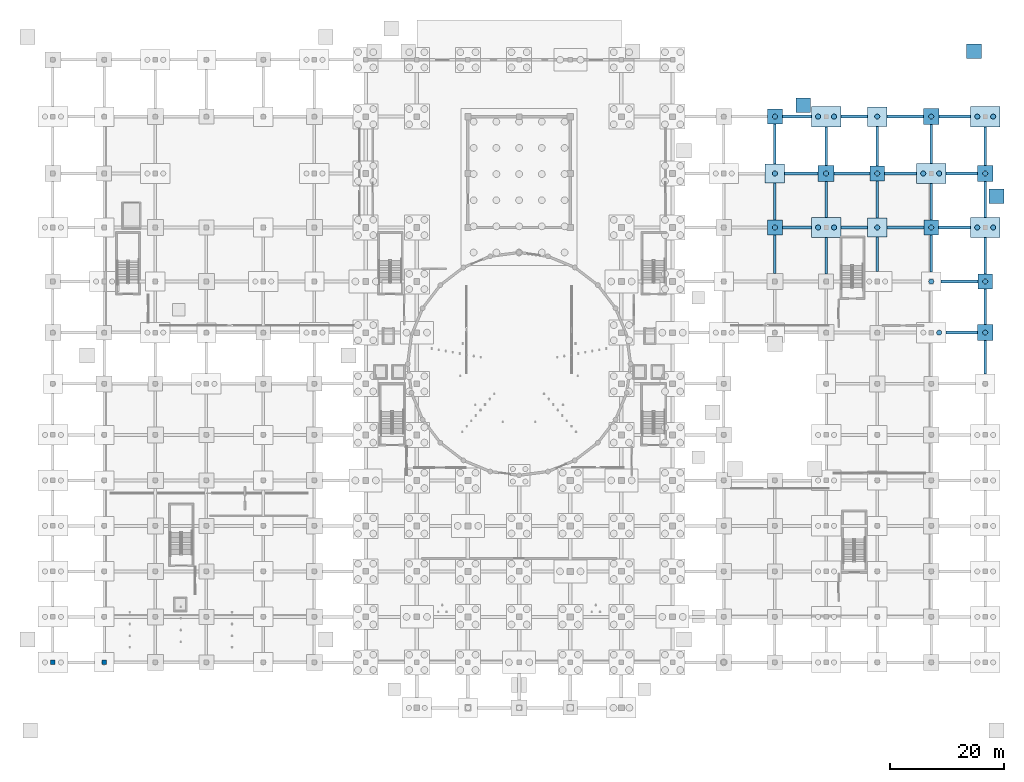
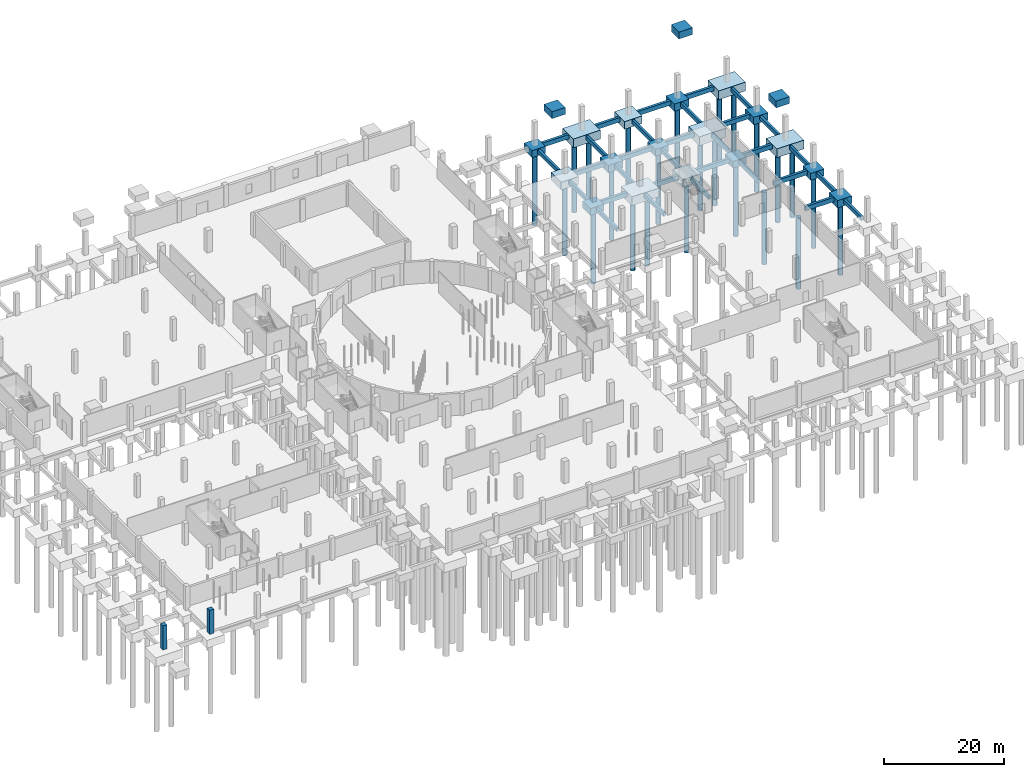
# One storey, part 10 of 40: 51 footings, 24 piles, 2 columns.
"""IFC4 building model written with IfcOpenShell, lengths in metres."""

from ifc_helpers import new_model, si_unit, direction, frame, origin, origin_2d, place, context, subcontext, project, spatial, rectangle, circle, extrude, material, layer, layer_set, material_profile, profile_set, type_object, element, save


model = new_model("IFC4")

# Units and contexts
model_context = context("Model", 3, precision=1e-05, world=origin(), true_north=direction((0.0, 1.0)))
body_context = subcontext(model_context, "Body", "Model", "MODEL_VIEW")
ifc_project = project(units=[si_unit("LENGTHUNIT", "METRE"), si_unit("AREAUNIT", "SQUARE_METRE"), si_unit("VOLUMEUNIT", "CUBIC_METRE"), si_unit("PLANEANGLEUNIT", "RADIAN"), si_unit("MASSUNIT", "GRAM", prefix="KILO")], contexts=[model_context])

# Site, building, storey
site_placement = place(None, origin())
site = spatial("IfcSite", under=ifc_project, at=site_placement, CompositionType="ELEMENT")
building_placement = place(site_placement, origin())
building = spatial("IfcBuilding", under=site, at=building_placement, Name="Marnock Terrace Opera House", CompositionType="ELEMENT")
storey_placement = place(building_placement, frame((0.0, 0.0, -4.800048828125)))
storey = spatial("IfcBuildingStorey", under=building, at=storey_placement, Name="B1", CompositionType="ELEMENT", Elevation=-4.800048828125)

# Footings
ifc_material_1 = material(Name="Concrete N40 (f'c = 40 MPa)", Category="concrete")
ifc_layer_1 = layer(ifc_material_1, 1.39990234375)
ifc_layer_set_1 = layer_set([ifc_layer_1], Name="Concrete N40 (f'c = 40 MPa)")
footing_type_1 = type_object("IfcFootingType", Name="FT-CAP-2600", PredefinedType="PILE_CAP", material=ifc_layer_set_1)
for number, where, z_axis, x_axis, name in (
    (1, (127.0, 84.5, -1.7998046875), (0.0, 0.0, 1.0), (1.0, 0.0, 0.0), "Pile cap FT-CAP-168"),
    (2, (127.0, 104.0, -1.7998046875), (0.0, 0.0, 1.0), (1.0, 0.0, 0.0), "Pile cap FT-CAP-170"),
    (3, (145.0, 94.0, -1.7998046875), (0.0, 0.0, 1.0), (1.0, 0.0, 0.0), "Pile cap FT-CAP-193"),
    (4, (154.5, 84.5, -1.7998046875), (0.0, 0.0, 1.0), (1.0, 0.0, 0.0), "Pile cap FT-CAP-204"),
    (5, (164.0, 75.0, -1.7998046875), (0.0, 0.0, 1.0), (1.0, 0.0, 0.0), "Pile cap FT-CAP-215"),
):
    element("IfcFooting", number, at=place(storey_placement, frame(where, z_axis=z_axis, x_axis=x_axis)), inside=storey, type_object=footing_type_1, Name=name, PredefinedType="PILE_CAP", context=body_context, shape_type="SweptSolid", body=[
        extrude(rectangle(XDim=2.60009765625, YDim=2.60009765625, at=origin_2d()), origin(), (0.0, 0.0, 1.0), 1.39990234375),
    ])
ifc_layer_2 = layer(ifc_material_1, 1.5)
ifc_layer_set_2 = layer_set([ifc_layer_2], Name="Concrete N40 (f'c = 40 MPa)")
footing_type_2 = type_object("IfcFootingType", Name="FT-CAP-2800", PredefinedType="PILE_CAP", material=ifc_layer_set_2)
for number, where, z_axis, x_axis, name in (
    (6, (136.0, 94.0, -1.89990234375), (0.0, 0.0, 1.0), (1.0, 0.0, 0.0), "Pile cap FT-CAP-181"),
    (7, (154.5, 104.0, -1.89990234375), (0.0, 0.0, 1.0), (1.0, 0.0, 0.0), "Pile cap FT-CAP-206"),
    (8, (164.0, 66.0, -1.89990234375), (0.0, 0.0, 1.0), (1.0, 0.0, 0.0), "Pile cap FT-CAP-214"),
    (9, (164.0, 94.0, -1.89990234375), (0.0, 0.0, 1.0), (1.0, 0.0, 0.0), "Pile cap FT-CAP-217"),
):
    element("IfcFooting", number, at=place(storey_placement, frame(where, z_axis=z_axis, x_axis=x_axis)), inside=storey, type_object=footing_type_2, Name=name, PredefinedType="PILE_CAP", context=body_context, shape_type="SweptSolid", body=[
        extrude(rectangle(XDim=2.800048828125, YDim=2.800048828125, at=origin_2d()), origin(), (0.0, 0.0, 1.0), 1.5),
    ])
ifc_layer_3 = layer(ifc_material_1, 1.550048828125)
ifc_layer_set_3 = layer_set([ifc_layer_3], Name="Concrete N40 (f'c = 40 MPa)")
footing_type_3 = type_object("IfcFootingType", Name="FT-CAP-3400", PredefinedType="PILE_CAP", material=ifc_layer_set_3)
for number, where, z_axis, x_axis, name in (
    (10, (127.0, 94.0, -1.9501953125), (0.0, 0.0, 1.0), (1.0, 0.0, 0.0), "Pile cap FT-CAP-169"),
    (11, (145.0, 84.5, -1.9501953125), (0.0, 0.0, 1.0), (1.0, 0.0, 0.0), "Pile cap FT-CAP-192"),
    (12, (145.0, 104.0, -1.9501953125), (0.0, 0.0, 1.0), (1.0, 0.0, 0.0), "Pile cap FT-CAP-194"),
):
    element("IfcFooting", number, at=place(storey_placement, frame(where, z_axis=z_axis, x_axis=x_axis)), inside=storey, type_object=footing_type_3, Name=name, PredefinedType="PILE_CAP", context=body_context, shape_type="SweptSolid", body=[
        extrude(rectangle(XDim=3.39990234375, YDim=3.39990234375, at=origin_2d()), origin(), (0.0, 0.0, 1.0), 1.550048828125),
    ])
ifc_layer_4 = layer(ifc_material_1, 1.800048828125)
ifc_layer_set_4 = layer_set([ifc_layer_4], Name="Concrete N40 (f'c = 40 MPa)")
footing_type_4 = type_object("IfcFootingType", Name="FT-CAP-5200", PredefinedType="PILE_CAP", material=ifc_layer_set_4)
for number, where, z_axis, x_axis, name in (
    (13, (136.0, 84.5, -2.2001953125), (0.0, 0.0, 1.0), (1.0, 0.0, 0.0), "Pile cap FT-CAP-180"),
    (14, (136.0, 104.0, -2.2001953125), (0.0, 0.0, 1.0), (1.0, 0.0, 0.0), "Pile cap FT-CAP-182"),
    (15, (154.5, 94.0, -2.2001953125), (0.0, 0.0, 1.0), (1.0, 0.0, 0.0), "Pile cap FT-CAP-205"),
    (16, (164.0, 84.5, -2.2001953125), (0.0, 0.0, 1.0), (1.0, 0.0, 0.0), "Pile cap FT-CAP-216"),
    (17, (164.0, 104.0, -2.2001953125), (0.0, 0.0, 1.0), (1.0, 0.0, 0.0), "Pile cap FT-CAP-218"),
):
    element("IfcFooting", number, at=place(storey_placement, frame(where, z_axis=z_axis, x_axis=x_axis)), inside=storey, type_object=footing_type_4, Name=name, PredefinedType="PILE_CAP", context=body_context, shape_type="SweptSolid", body=[
        extrude(rectangle(XDim=5.199951171875, YDim=3.60009765625, at=origin_2d()), origin(), (0.0, 0.0, 1.0), 1.800048828125),
    ])
ifc_material_profile_1 = material_profile(ifc_material_1, rectangle(XDim=0.449951171875, YDim=0.800048828125, at=origin_2d()))
ifc_profile_set_1 = profile_set([ifc_material_profile_1], Name="Concrete N40 (f'c = 40 MPa)")
footing_type_5 = type_object("IfcFootingType", Name="FT-GB-450", PredefinedType="FOOTING_BEAM", material=ifc_profile_set_1)
footing_1_placement = place(storey_placement, frame((127.0, 76.39990234375, -0.949951171875), z_axis=(0.0, 1.0, 0.0), x_axis=(-1.0, 0.0, 0.0)))
element("IfcFooting", 18, at=footing_1_placement, inside=storey, type_object=footing_type_5, Name="Ground tie beam Y-146", PredefinedType="FOOTING_BEAM", context=body_context, shape_type="SweptSolid", body=[
    extrude(rectangle(XDim=0.449951171875, YDim=0.800048828125, at=origin_2d()), origin(), (0.0, 0.0, 1.0), 6.800048828125),
])
footing_2_placement = place(storey_placement, frame((127.0, 85.800048828125, -0.949951171875), z_axis=(0.0, 1.0, 0.0), x_axis=(-1.0, 0.0, 0.0)))
element("IfcFooting", 19, at=footing_2_placement, inside=storey, type_object=footing_type_5, Name="Ground tie beam Y-147", PredefinedType="FOOTING_BEAM", context=body_context, shape_type="SweptSolid", body=[
    extrude(rectangle(XDim=0.449951171875, YDim=0.800048828125, at=origin_2d()), origin(), (0.0, 0.0, 1.0), 6.5),
])
footing_3_placement = place(storey_placement, frame((127.0, 95.699951171875, -0.949951171875), z_axis=(0.0, 1.0, 0.0), x_axis=(-1.0, 0.0, 0.0)))
element("IfcFooting", 20, at=footing_3_placement, inside=storey, type_object=footing_type_5, Name="Ground tie beam Y-148", PredefinedType="FOOTING_BEAM", context=body_context, shape_type="SweptSolid", body=[
    extrude(rectangle(XDim=0.449951171875, YDim=0.800048828125, at=origin_2d()), origin(), (0.0, 0.0, 1.0), 7.0),
])
footing_4_placement = place(storey_placement, frame((136.0, 76.300048828125, -0.949951171875), z_axis=(0.0, 1.0, 0.0), x_axis=(-1.0, 0.0, 0.0)))
element("IfcFooting", 21, at=footing_4_placement, inside=storey, type_object=footing_type_5, Name="Ground tie beam Y-157", PredefinedType="FOOTING_BEAM", context=body_context, shape_type="SweptSolid", body=[
    extrude(rectangle(XDim=0.449951171875, YDim=0.800048828125, at=origin_2d()), origin(), (0.0, 0.0, 1.0), 6.39990234375),
])
footing_5_placement = place(storey_placement, frame((136.0, 86.300048828125, -0.949951171875), z_axis=(0.0, 1.0, 0.0), x_axis=(-1.0, 0.0, 0.0)))
element("IfcFooting", 22, at=footing_5_placement, inside=storey, type_object=footing_type_5, Name="Ground tie beam Y-158", PredefinedType="FOOTING_BEAM", context=body_context, shape_type="SweptSolid", body=[
    extrude(rectangle(XDim=0.449951171875, YDim=0.800048828125, at=origin_2d()), origin(), (0.0, 0.0, 1.0), 6.300048828125),
])
footing_6_placement = place(storey_placement, frame((136.0, 95.39990234375, -0.949951171875), z_axis=(0.0, 1.0, 0.0), x_axis=(-1.0, 0.0, 0.0)))
element("IfcFooting", 23, at=footing_6_placement, inside=storey, type_object=footing_type_5, Name="Ground tie beam Y-159", PredefinedType="FOOTING_BEAM", context=body_context, shape_type="SweptSolid", body=[
    extrude(rectangle(XDim=0.449951171875, YDim=0.800048828125, at=origin_2d()), origin(), (0.0, 0.0, 1.0), 6.800048828125),
])
footing_7_placement = place(storey_placement, frame((145.0, 76.800048828125, -0.949951171875), z_axis=(0.0, 1.0, 0.0), x_axis=(-1.0, 0.0, 0.0)))
element("IfcFooting", 24, at=footing_7_placement, inside=storey, type_object=footing_type_5, Name="Ground tie beam Y-168", PredefinedType="FOOTING_BEAM", context=body_context, shape_type="SweptSolid", body=[
    extrude(rectangle(XDim=0.449951171875, YDim=0.800048828125, at=origin_2d()), origin(), (0.0, 0.0, 1.0), 6.0),
])
footing_8_placement = place(storey_placement, frame((145.0, 86.199951171875, -0.949951171875), z_axis=(0.0, 1.0, 0.0), x_axis=(-1.0, 0.0, 0.0)))
element("IfcFooting", 25, at=footing_8_placement, inside=storey, type_object=footing_type_5, Name="Ground tie beam Y-169", PredefinedType="FOOTING_BEAM", context=body_context, shape_type="SweptSolid", body=[
    extrude(rectangle(XDim=0.449951171875, YDim=0.800048828125, at=origin_2d()), origin(), (0.0, 0.0, 1.0), 6.5),
])
footing_9_placement = place(storey_placement, frame((145.0, 95.300048828125, -0.949951171875), z_axis=(0.0, 1.0, 0.0), x_axis=(-1.0, 0.0, 0.0)))
element("IfcFooting", 26, at=footing_9_placement, inside=storey, type_object=footing_type_5, Name="Ground tie beam Y-170", PredefinedType="FOOTING_BEAM", context=body_context, shape_type="SweptSolid", body=[
    extrude(rectangle(XDim=0.449951171875, YDim=0.800048828125, at=origin_2d()), origin(), (0.0, 0.0, 1.0), 7.0),
])
footing_10_placement = place(storey_placement, frame((154.5, 76.699951171875, -0.949951171875), z_axis=(0.0, 1.0, 0.0), x_axis=(-1.0, 0.0, 0.0)))
element("IfcFooting", 27, at=footing_10_placement, inside=storey, type_object=footing_type_5, Name="Ground tie beam Y-179", PredefinedType="FOOTING_BEAM", context=body_context, shape_type="SweptSolid", body=[
    extrude(rectangle(XDim=0.449951171875, YDim=0.800048828125, at=origin_2d()), origin(), (0.0, 0.0, 1.0), 6.5),
])
footing_11_placement = place(storey_placement, frame((154.5, 85.800048828125, -0.949951171875), z_axis=(0.0, 1.0, 0.0), x_axis=(-1.0, 0.0, 0.0)))
element("IfcFooting", 28, at=footing_11_placement, inside=storey, type_object=footing_type_5, Name="Ground tie beam Y-180", PredefinedType="FOOTING_BEAM", context=body_context, shape_type="SweptSolid", body=[
    extrude(rectangle(XDim=0.449951171875, YDim=0.800048828125, at=origin_2d()), origin(), (0.0, 0.0, 1.0), 6.39990234375),
])
footing_12_placement = place(storey_placement, frame((154.5, 95.800048828125, -0.949951171875), z_axis=(0.0, 1.0, 0.0), x_axis=(-1.0, 0.0, 0.0)))
element("IfcFooting", 29, at=footing_12_placement, inside=storey, type_object=footing_type_5, Name="Ground tie beam Y-181", PredefinedType="FOOTING_BEAM", context=body_context, shape_type="SweptSolid", body=[
    extrude(rectangle(XDim=0.449951171875, YDim=0.800048828125, at=origin_2d()), origin(), (0.0, 0.0, 1.0), 6.800048828125),
])
footing_13_placement = place(storey_placement, frame((164.0, 58.699951171875, -0.949951171875), z_axis=(0.0, 1.0, 0.0), x_axis=(-1.0, 0.0, 0.0)))
element("IfcFooting", 30, at=footing_13_placement, inside=storey, type_object=footing_type_5, Name="Ground tie beam Y-188", PredefinedType="FOOTING_BEAM", context=body_context, shape_type="SweptSolid", body=[
    extrude(rectangle(XDim=0.449951171875, YDim=0.800048828125, at=origin_2d()), origin(), (0.0, 0.0, 1.0), 5.900146484375),
])
footing_14_placement = place(storey_placement, frame((164.0, 67.39990234375, -0.949951171875), z_axis=(0.0, 1.0, 0.0), x_axis=(-1.0, 0.0, 0.0)))
element("IfcFooting", 31, at=footing_14_placement, inside=storey, type_object=footing_type_5, Name="Ground tie beam Y-189", PredefinedType="FOOTING_BEAM", context=body_context, shape_type="SweptSolid", body=[
    extrude(rectangle(XDim=0.449951171875, YDim=0.800048828125, at=origin_2d()), origin(), (0.0, 0.0, 1.0), 6.300048828125),
])
footing_15_placement = place(storey_placement, frame((164.0, 76.300048828125, -0.949951171875), z_axis=(0.0, 1.0, 0.0), x_axis=(-1.0, 0.0, 0.0)))
element("IfcFooting", 32, at=footing_15_placement, inside=storey, type_object=footing_type_5, Name="Ground tie beam Y-190", PredefinedType="FOOTING_BEAM", context=body_context, shape_type="SweptSolid", body=[
    extrude(rectangle(XDim=0.449951171875, YDim=0.800048828125, at=origin_2d()), origin(), (0.0, 0.0, 1.0), 6.39990234375),
])
footing_16_placement = place(storey_placement, frame((164.0, 86.300048828125, -0.949951171875), z_axis=(0.0, 1.0, 0.0), x_axis=(-1.0, 0.0, 0.0)))
element("IfcFooting", 33, at=footing_16_placement, inside=storey, type_object=footing_type_5, Name="Ground tie beam Y-191", PredefinedType="FOOTING_BEAM", context=body_context, shape_type="SweptSolid", body=[
    extrude(rectangle(XDim=0.449951171875, YDim=0.800048828125, at=origin_2d()), origin(), (0.0, 0.0, 1.0), 6.300048828125),
])
footing_17_placement = place(storey_placement, frame((164.0, 95.39990234375, -0.949951171875), z_axis=(0.0, 1.0, 0.0), x_axis=(-1.0, 0.0, 0.0)))
element("IfcFooting", 34, at=footing_17_placement, inside=storey, type_object=footing_type_5, Name="Ground tie beam Y-192", PredefinedType="FOOTING_BEAM", context=body_context, shape_type="SweptSolid", body=[
    extrude(rectangle(XDim=0.449951171875, YDim=0.800048828125, at=origin_2d()), origin(), (0.0, 0.0, 1.0), 6.800048828125),
])
ifc_material_profile_2 = material_profile(ifc_material_1, rectangle(XDim=0.5, YDim=0.89990234375, at=origin_2d()))
ifc_profile_set_2 = profile_set([ifc_material_profile_2], Name="Concrete N40 (f'c = 40 MPa)")
footing_type_6 = type_object("IfcFootingType", Name="FT-GB-500", PredefinedType="FOOTING_BEAM", material=ifc_profile_set_2)
footing_18_placement = place(storey_placement, frame((157.10009765625, 66.0, -0.849853515625), z_axis=(1.0, 0.0, 0.0), x_axis=(0.0, 1.0, 0.0)))
element("IfcFooting", 35, at=footing_18_placement, inside=storey, type_object=footing_type_6, Name="Ground tie beam X-322", PredefinedType="FOOTING_BEAM", context=body_context, shape_type="SweptSolid", body=[
    extrude(rectangle(XDim=0.5, YDim=0.89990234375, at=origin_2d()), origin(), (0.0, 0.0, 1.0), 5.5),
])
footing_19_placement = place(storey_placement, frame((156.199951171875, 75.0, -0.849853515625), z_axis=(1.0, 0.0, 0.0), x_axis=(0.0, 1.0, 0.0)))
element("IfcFooting", 36, at=footing_19_placement, inside=storey, type_object=footing_type_6, Name="Ground tie beam X-336", PredefinedType="FOOTING_BEAM", context=body_context, shape_type="SweptSolid", body=[
    extrude(rectangle(XDim=0.5, YDim=0.89990234375, at=origin_2d()), origin(), (0.0, 0.0, 1.0), 6.5),
])
footing_20_placement = place(storey_placement, frame((128.300048828125, 84.5, -0.849853515625), z_axis=(1.0, 0.0, 0.0), x_axis=(0.0, 1.0, 0.0)))
element("IfcFooting", 37, at=footing_20_placement, inside=storey, type_object=footing_type_6, Name="Ground tie beam X-347", PredefinedType="FOOTING_BEAM", context=body_context, shape_type="SweptSolid", body=[
    extrude(rectangle(XDim=0.5, YDim=0.89990234375, at=origin_2d()), origin(), (0.0, 0.0, 1.0), 5.099853515625),
])
footing_21_placement = place(storey_placement, frame((138.60009765625, 84.5, -0.849853515625), z_axis=(1.0, 0.0, 0.0), x_axis=(0.0, 1.0, 0.0)))
element("IfcFooting", 38, at=footing_21_placement, inside=storey, type_object=footing_type_6, Name="Ground tie beam X-348", PredefinedType="FOOTING_BEAM", context=body_context, shape_type="SweptSolid", body=[
    extrude(rectangle(XDim=0.5, YDim=0.89990234375, at=origin_2d()), origin(), (0.0, 0.0, 1.0), 4.699951171875),
])
footing_22_placement = place(storey_placement, frame((146.699951171875, 84.5, -0.849853515625), z_axis=(1.0, 0.0, 0.0), x_axis=(0.0, 1.0, 0.0)))
element("IfcFooting", 39, at=footing_22_placement, inside=storey, type_object=footing_type_6, Name="Ground tie beam X-349", PredefinedType="FOOTING_BEAM", context=body_context, shape_type="SweptSolid", body=[
    extrude(rectangle(XDim=0.5, YDim=0.89990234375, at=origin_2d()), origin(), (0.0, 0.0, 1.0), 6.5),
])
footing_23_placement = place(storey_placement, frame((155.800048828125, 84.5, -0.849853515625), z_axis=(1.0, 0.0, 0.0), x_axis=(0.0, 1.0, 0.0)))
element("IfcFooting", 40, at=footing_23_placement, inside=storey, type_object=footing_type_6, Name="Ground tie beam X-350", PredefinedType="FOOTING_BEAM", context=body_context, shape_type="SweptSolid", body=[
    extrude(rectangle(XDim=0.5, YDim=0.89990234375, at=origin_2d()), origin(), (0.0, 0.0, 1.0), 5.599853515625),
])
footing_24_placement = place(storey_placement, frame((128.699951171875, 94.0, -0.849853515625), z_axis=(1.0, 0.0, 0.0), x_axis=(0.0, 1.0, 0.0)))
element("IfcFooting", 41, at=footing_24_placement, inside=storey, type_object=footing_type_6, Name="Ground tie beam X-356", PredefinedType="FOOTING_BEAM", context=body_context, shape_type="SweptSolid", body=[
    extrude(rectangle(XDim=0.5, YDim=0.89990234375, at=origin_2d()), origin(), (0.0, 0.0, 1.0), 5.900146484375),
])
footing_25_placement = place(storey_placement, frame((137.39990234375, 94.0, -0.849853515625), z_axis=(1.0, 0.0, 0.0), x_axis=(0.0, 1.0, 0.0)))
element("IfcFooting", 42, at=footing_25_placement, inside=storey, type_object=footing_type_6, Name="Ground tie beam X-357", PredefinedType="FOOTING_BEAM", context=body_context, shape_type="SweptSolid", body=[
    extrude(rectangle(XDim=0.5, YDim=0.89990234375, at=origin_2d()), origin(), (0.0, 0.0, 1.0), 6.300048828125),
])
footing_26_placement = place(storey_placement, frame((146.300048828125, 94.0, -0.849853515625), z_axis=(1.0, 0.0, 0.0), x_axis=(0.0, 1.0, 0.0)))
element("IfcFooting", 43, at=footing_26_placement, inside=storey, type_object=footing_type_6, Name="Ground tie beam X-358", PredefinedType="FOOTING_BEAM", context=body_context, shape_type="SweptSolid", body=[
    extrude(rectangle(XDim=0.5, YDim=0.89990234375, at=origin_2d()), origin(), (0.0, 0.0, 1.0), 5.599853515625),
])
footing_27_placement = place(storey_placement, frame((157.10009765625, 94.0, -0.849853515625), z_axis=(1.0, 0.0, 0.0), x_axis=(0.0, 1.0, 0.0)))
element("IfcFooting", 44, at=footing_27_placement, inside=storey, type_object=footing_type_6, Name="Ground tie beam X-359", PredefinedType="FOOTING_BEAM", context=body_context, shape_type="SweptSolid", body=[
    extrude(rectangle(XDim=0.5, YDim=0.89990234375, at=origin_2d()), origin(), (0.0, 0.0, 1.0), 5.5),
])
footing_28_placement = place(storey_placement, frame((128.300048828125, 104.0, -0.849853515625), z_axis=(1.0, 0.0, 0.0), x_axis=(0.0, 1.0, 0.0)))
element("IfcFooting", 45, at=footing_28_placement, inside=storey, type_object=footing_type_6, Name="Ground tie beam X-370", PredefinedType="FOOTING_BEAM", context=body_context, shape_type="SweptSolid", body=[
    extrude(rectangle(XDim=0.5, YDim=0.89990234375, at=origin_2d()), origin(), (0.0, 0.0, 1.0), 5.099853515625),
])
footing_29_placement = place(storey_placement, frame((138.60009765625, 104.0, -0.849853515625), z_axis=(1.0, 0.0, 0.0), x_axis=(0.0, 1.0, 0.0)))
element("IfcFooting", 46, at=footing_29_placement, inside=storey, type_object=footing_type_6, Name="Ground tie beam X-371", PredefinedType="FOOTING_BEAM", context=body_context, shape_type="SweptSolid", body=[
    extrude(rectangle(XDim=0.5, YDim=0.89990234375, at=origin_2d()), origin(), (0.0, 0.0, 1.0), 4.699951171875),
])
footing_30_placement = place(storey_placement, frame((146.699951171875, 104.0, -0.849853515625), z_axis=(1.0, 0.0, 0.0), x_axis=(0.0, 1.0, 0.0)))
element("IfcFooting", 47, at=footing_30_placement, inside=storey, type_object=footing_type_6, Name="Ground tie beam X-372", PredefinedType="FOOTING_BEAM", context=body_context, shape_type="SweptSolid", body=[
    extrude(rectangle(XDim=0.5, YDim=0.89990234375, at=origin_2d()), origin(), (0.0, 0.0, 1.0), 6.400146484375),
])
footing_31_placement = place(storey_placement, frame((155.89990234375, 104.0, -0.849853515625), z_axis=(1.0, 0.0, 0.0), x_axis=(0.0, 1.0, 0.0)))
element("IfcFooting", 48, at=footing_31_placement, inside=storey, type_object=footing_type_6, Name="Ground tie beam X-373", PredefinedType="FOOTING_BEAM", context=body_context, shape_type="SweptSolid", body=[
    extrude(rectangle(XDim=0.5, YDim=0.89990234375, at=origin_2d()), origin(), (0.0, 0.0, 1.0), 5.5),
])
ifc_layer_5 = layer(ifc_material_1, 1.39990234375)
ifc_layer_set_5 = layer_set([ifc_layer_5], Name="Concrete N40 (f'c = 40 MPa)")
footing_type_7 = type_object("IfcFootingType", Name="FT-PAD-2600", PredefinedType="PAD_FOOTING", material=ifc_layer_set_5)
for number, where, z_axis, x_axis, name in (
    (49, (162.0, 115.5, 3.16015625), (0.0, 0.0, 1.0), (1.0, 0.0, 0.0), "Upper-terrace grade pad footing FT-APR-NE2"),
    (50, (132.0, 106.0, 3.16015625), (0.0, 0.0, 1.0), (1.0, 0.0, 0.0), "Upper-terrace grade pad footing FT-APR-NE3"),
    (51, (166.0, 90.0, 3.16015625), (0.0, 0.0, 1.0), (1.0, 0.0, 0.0), "Upper-terrace grade pad footing FT-APR-S4"),
):
    element("IfcFooting", number, at=place(storey_placement, frame(where, z_axis=z_axis, x_axis=x_axis)), inside=storey, type_object=footing_type_7, Name=name, PredefinedType="PAD_FOOTING", context=body_context, shape_type="SweptSolid", body=[
        extrude(rectangle(XDim=2.60009765625, YDim=2.60009765625, at=origin_2d()), origin(), (0.0, 0.0, 1.0), 1.39990234375),
    ])

# Piles
ifc_material_profile_3 = material_profile(ifc_material_1, circle(Radius=0.449951171875, at=origin_2d()))
ifc_profile_set_3 = profile_set([ifc_material_profile_3], Name="Concrete N40 (f'c = 40 MPa)")
pile_type = type_object("IfcPileType", Name="PILE-CFA-900", PredefinedType="BORED", material=ifc_profile_set_3)
pile_1_placement = place(storey_placement, frame((127.0, 84.5, -1.699951171875), z_axis=(0.0, 0.0, -1.0), x_axis=(1.0, 0.0, 0.0)))
element("IfcPile", 52, at=pile_1_placement, inside=storey, type_object=pile_type, Name="Bored CFA pile 168.1", PredefinedType="BORED", context=body_context, shape_type="SweptSolid", body=[
    extrude(circle(Radius=0.449951171875, at=origin_2d()), origin(), (0.0, 0.0, 1.0), 15.0),
])
pile_2_placement = place(storey_placement, frame((127.0, 94.0, -1.849853515625), z_axis=(0.0, 0.0, -1.0), x_axis=(1.0, 0.0, 0.0)))
element("IfcPile", 53, at=pile_2_placement, inside=storey, type_object=pile_type, Name="Bored CFA pile 169.1", PredefinedType="BORED", context=body_context, shape_type="SweptSolid", body=[
    extrude(circle(Radius=0.449951171875, at=origin_2d()), origin(), (0.0, 0.0, 1.0), 14.85009765625),
])
pile_3_placement = place(storey_placement, frame((127.0, 104.0, -1.699951171875), z_axis=(0.0, 0.0, -1.0), x_axis=(1.0, 0.0, 0.0)))
element("IfcPile", 54, at=pile_3_placement, inside=storey, type_object=pile_type, Name="Bored CFA pile 170.1", PredefinedType="BORED", context=body_context, shape_type="SweptSolid", body=[
    extrude(circle(Radius=0.449951171875, at=origin_2d()), origin(), (0.0, 0.0, 1.0), 15.0),
])
for number, where, z_axis, x_axis, name in (
    (55, (134.60009765625, 84.5, -2.099853515625), (0.0, 0.0, -1.0), (1.0, 0.0, 0.0), "Bored CFA pile 180.1"),
    (56, (137.39990234375, 84.5, -2.099853515625), (0.0, 0.0, -1.0), (1.0, 0.0, 0.0), "Bored CFA pile 180.2"),
):
    element("IfcPile", number, at=place(storey_placement, frame(where, z_axis=z_axis, x_axis=x_axis)), inside=storey, type_object=pile_type, Name=name, PredefinedType="BORED", context=body_context, shape_type="SweptSolid", body=[
        extrude(circle(Radius=0.449951171875, at=origin_2d()), origin(), (0.0, 0.0, 1.0), 14.60009765625),
    ])
pile_4_placement = place(storey_placement, frame((136.0, 94.0, -1.800048828125), z_axis=(0.0, 0.0, -1.0), x_axis=(1.0, 0.0, 0.0)))
element("IfcPile", 57, at=pile_4_placement, inside=storey, type_object=pile_type, Name="Bored CFA pile 181.1", PredefinedType="BORED", context=body_context, shape_type="SweptSolid", body=[
    extrude(circle(Radius=0.449951171875, at=origin_2d()), origin(), (0.0, 0.0, 1.0), 14.89990234375),
])
for number, where, z_axis, x_axis, name in (
    (58, (134.60009765625, 104.0, -2.099853515625), (0.0, 0.0, -1.0), (1.0, 0.0, 0.0), "Bored CFA pile 182.1"),
    (59, (137.39990234375, 104.0, -2.099853515625), (0.0, 0.0, -1.0), (1.0, 0.0, 0.0), "Bored CFA pile 182.2"),
):
    element("IfcPile", number, at=place(storey_placement, frame(where, z_axis=z_axis, x_axis=x_axis)), inside=storey, type_object=pile_type, Name=name, PredefinedType="BORED", context=body_context, shape_type="SweptSolid", body=[
        extrude(circle(Radius=0.449951171875, at=origin_2d()), origin(), (0.0, 0.0, 1.0), 14.60009765625),
    ])
pile_5_placement = place(storey_placement, frame((145.0, 84.5, -1.849853515625), z_axis=(0.0, 0.0, -1.0), x_axis=(1.0, 0.0, 0.0)))
element("IfcPile", 60, at=pile_5_placement, inside=storey, type_object=pile_type, Name="Bored CFA pile 192.1", PredefinedType="BORED", context=body_context, shape_type="SweptSolid", body=[
    extrude(circle(Radius=0.449951171875, at=origin_2d()), origin(), (0.0, 0.0, 1.0), 14.85009765625),
])
pile_6_placement = place(storey_placement, frame((145.0, 94.0, -1.699951171875), z_axis=(0.0, 0.0, -1.0), x_axis=(1.0, 0.0, 0.0)))
element("IfcPile", 61, at=pile_6_placement, inside=storey, type_object=pile_type, Name="Bored CFA pile 193.1", PredefinedType="BORED", context=body_context, shape_type="SweptSolid", body=[
    extrude(circle(Radius=0.449951171875, at=origin_2d()), origin(), (0.0, 0.0, 1.0), 15.0),
])
pile_7_placement = place(storey_placement, frame((145.0, 104.0, -1.849853515625), z_axis=(0.0, 0.0, -1.0), x_axis=(1.0, 0.0, 0.0)))
element("IfcPile", 62, at=pile_7_placement, inside=storey, type_object=pile_type, Name="Bored CFA pile 194.1", PredefinedType="BORED", context=body_context, shape_type="SweptSolid", body=[
    extrude(circle(Radius=0.449951171875, at=origin_2d()), origin(), (0.0, 0.0, 1.0), 14.85009765625),
])
pile_8_placement = place(storey_placement, frame((155.89990234375, 66.0, -2.099853515625), z_axis=(0.0, 0.0, -1.0), x_axis=(1.0, 0.0, 0.0)))
element("IfcPile", 63, at=pile_8_placement, inside=storey, type_object=pile_type, Name="Bored CFA pile 202.2", PredefinedType="BORED", context=body_context, shape_type="SweptSolid", body=[
    extrude(circle(Radius=0.449951171875, at=origin_2d()), origin(), (0.0, 0.0, 1.0), 14.60009765625),
])
pile_9_placement = place(storey_placement, frame((154.5, 75.0, -1.849853515625), z_axis=(0.0, 0.0, -1.0), x_axis=(1.0, 0.0, 0.0)))
element("IfcPile", 64, at=pile_9_placement, inside=storey, type_object=pile_type, Name="Bored CFA pile 203.1", PredefinedType="BORED", context=body_context, shape_type="SweptSolid", body=[
    extrude(circle(Radius=0.449951171875, at=origin_2d()), origin(), (0.0, 0.0, 1.0), 14.85009765625),
])
pile_10_placement = place(storey_placement, frame((154.5, 84.5, -1.699951171875), z_axis=(0.0, 0.0, -1.0), x_axis=(1.0, 0.0, 0.0)))
element("IfcPile", 65, at=pile_10_placement, inside=storey, type_object=pile_type, Name="Bored CFA pile 204.1", PredefinedType="BORED", context=body_context, shape_type="SweptSolid", body=[
    extrude(circle(Radius=0.449951171875, at=origin_2d()), origin(), (0.0, 0.0, 1.0), 15.0),
])
for number, where, z_axis, x_axis, name in (
    (66, (153.10009765625, 94.0, -2.099853515625), (0.0, 0.0, -1.0), (1.0, 0.0, 0.0), "Bored CFA pile 205.1"),
    (67, (155.89990234375, 94.0, -2.099853515625), (0.0, 0.0, -1.0), (1.0, 0.0, 0.0), "Bored CFA pile 205.2"),
):
    element("IfcPile", number, at=place(storey_placement, frame(where, z_axis=z_axis, x_axis=x_axis)), inside=storey, type_object=pile_type, Name=name, PredefinedType="BORED", context=body_context, shape_type="SweptSolid", body=[
        extrude(circle(Radius=0.449951171875, at=origin_2d()), origin(), (0.0, 0.0, 1.0), 14.60009765625),
    ])
for number, where, z_axis, x_axis, name in (
    (68, (154.5, 104.0, -1.800048828125), (0.0, 0.0, -1.0), (1.0, 0.0, 0.0), "Bored CFA pile 206.1"),
    (69, (164.0, 66.0, -1.800048828125), (0.0, 0.0, -1.0), (1.0, 0.0, 0.0), "Bored CFA pile 214.1"),
):
    element("IfcPile", number, at=place(storey_placement, frame(where, z_axis=z_axis, x_axis=x_axis)), inside=storey, type_object=pile_type, Name=name, PredefinedType="BORED", context=body_context, shape_type="SweptSolid", body=[
        extrude(circle(Radius=0.449951171875, at=origin_2d()), origin(), (0.0, 0.0, 1.0), 14.89990234375),
    ])
pile_11_placement = place(storey_placement, frame((164.0, 75.0, -1.699951171875), z_axis=(0.0, 0.0, -1.0), x_axis=(1.0, 0.0, 0.0)))
element("IfcPile", 70, at=pile_11_placement, inside=storey, type_object=pile_type, Name="Bored CFA pile 215.1", PredefinedType="BORED", context=body_context, shape_type="SweptSolid", body=[
    extrude(circle(Radius=0.449951171875, at=origin_2d()), origin(), (0.0, 0.0, 1.0), 15.0),
])
for number, where, z_axis, x_axis, name in (
    (71, (162.60009765625, 84.5, -2.099853515625), (0.0, 0.0, -1.0), (1.0, 0.0, 0.0), "Bored CFA pile 216.1"),
    (72, (165.39990234375, 84.5, -2.099853515625), (0.0, 0.0, -1.0), (1.0, 0.0, 0.0), "Bored CFA pile 216.2"),
):
    element("IfcPile", number, at=place(storey_placement, frame(where, z_axis=z_axis, x_axis=x_axis)), inside=storey, type_object=pile_type, Name=name, PredefinedType="BORED", context=body_context, shape_type="SweptSolid", body=[
        extrude(circle(Radius=0.449951171875, at=origin_2d()), origin(), (0.0, 0.0, 1.0), 14.60009765625),
    ])
pile_12_placement = place(storey_placement, frame((164.0, 94.0, -1.800048828125), z_axis=(0.0, 0.0, -1.0), x_axis=(1.0, 0.0, 0.0)))
element("IfcPile", 73, at=pile_12_placement, inside=storey, type_object=pile_type, Name="Bored CFA pile 217.1", PredefinedType="BORED", context=body_context, shape_type="SweptSolid", body=[
    extrude(circle(Radius=0.449951171875, at=origin_2d()), origin(), (0.0, 0.0, 1.0), 14.89990234375),
])
for number, where, z_axis, x_axis, name in (
    (74, (162.60009765625, 104.0, -2.099853515625), (0.0, 0.0, -1.0), (1.0, 0.0, 0.0), "Bored CFA pile 218.1"),
    (75, (165.39990234375, 104.0, -2.099853515625), (0.0, 0.0, -1.0), (1.0, 0.0, 0.0), "Bored CFA pile 218.2"),
):
    element("IfcPile", number, at=place(storey_placement, frame(where, z_axis=z_axis, x_axis=x_axis)), inside=storey, type_object=pile_type, Name=name, PredefinedType="BORED", context=body_context, shape_type="SweptSolid", body=[
        extrude(circle(Radius=0.449951171875, at=origin_2d()), origin(), (0.0, 0.0, 1.0), 14.60009765625),
    ])

# Columns
ifc_material_2 = material(Name="Concrete N50 (f'c = 50 MPa)", Category="concrete")
ifc_material_profile_4 = material_profile(ifc_material_2, rectangle(XDim=0.800048828125, YDim=0.800048828125, at=origin_2d()))
ifc_profile_set_4 = profile_set([ifc_material_profile_4], Name="Concrete N50 (f'c = 50 MPa)")
column_type = type_object("IfcColumnType", Name="COL-RC800", PredefinedType="COLUMN", material=ifc_profile_set_4)
for number, where, z_axis, x_axis, name in (
    (76, (0.0, 8.0, -0.39990234375), (0.0, 0.0, 1.0), (1.0, 0.0, 0.0), "B1 column at (0.0, 8.0)"),
    (77, (9.0, 8.0, -0.39990234375), (0.0, 0.0, 1.0), (1.0, 0.0, 0.0), "B1 column at (9.0, 8.0)"),
):
    element("IfcColumn", number, at=place(storey_placement, frame(where, z_axis=z_axis, x_axis=x_axis)), inside=storey, type_object=column_type, Name=name, PredefinedType="COLUMN", context=body_context, shape_type="SweptSolid", body=[
        extrude(rectangle(XDim=0.800048828125, YDim=0.800048828125, at=origin_2d()), origin(), (0.0, 0.0, 1.0), 4.89990234375),
    ])

save(model, "model.ifc")
